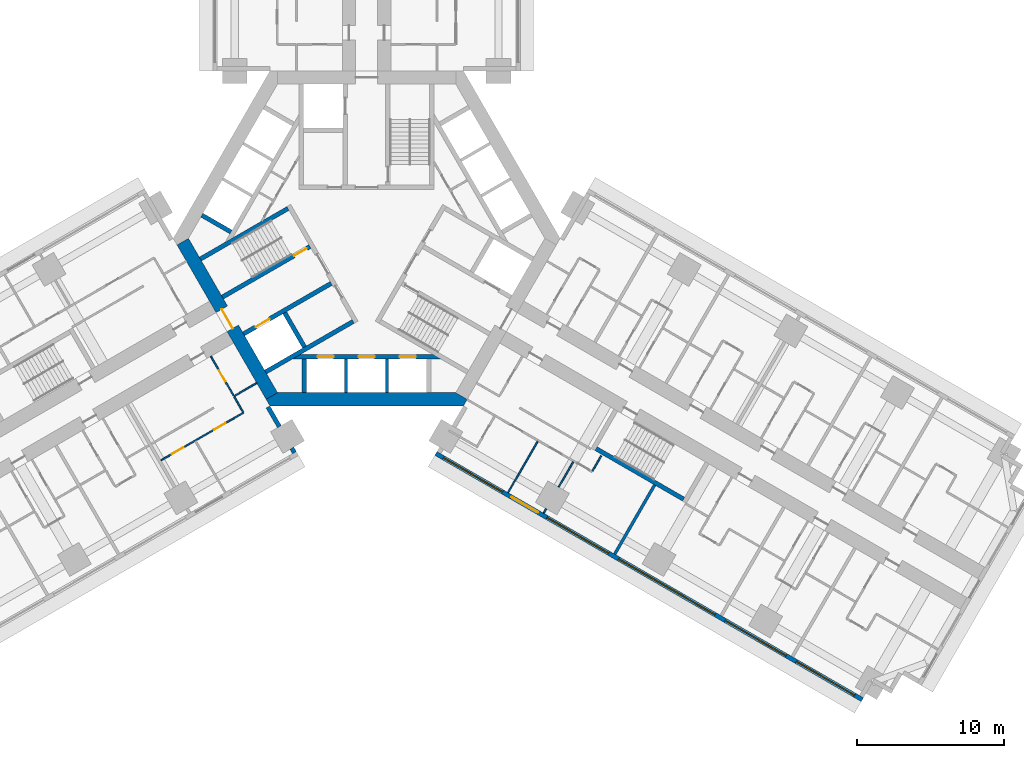
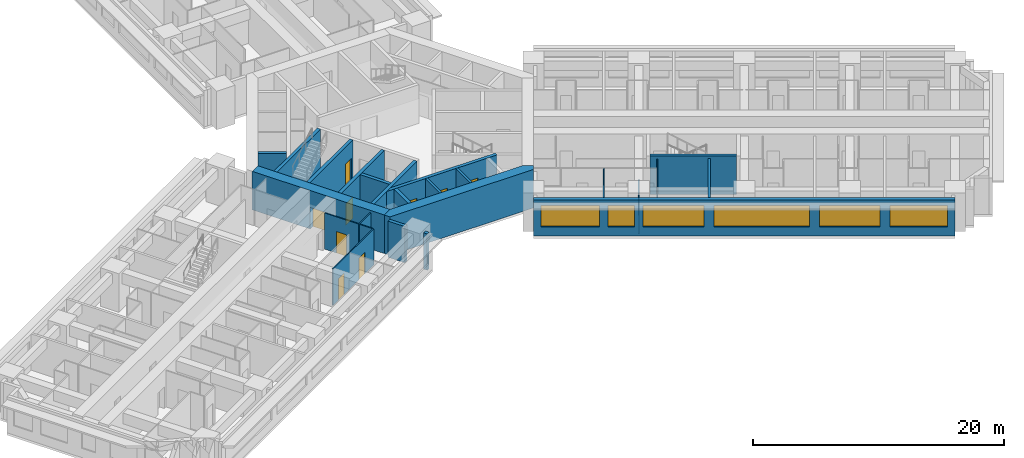
# One storey, part 6 of 16: 25 walls, 9 doors, 6 windows, 15 openings.
"""IFC4 building model written with IfcOpenShell, lengths in metres."""

import ifcopenshell
import ifcopenshell.guid

model = None  # the IFC model being written
_history = None  # IfcOwnerHistory: only IFC2X3 demands one
_inside = {}  # id of a spatial element -> (the spatial element, [elements in it])
_under = {}  # id of a project, library or spatial element -> (it, [spatial elements below it])
_declared = {}  # id of a project -> (the project, [libraries it declares])
_typed = {}  # id of a type object -> (the type object, [elements of that type])
_made_of = {}  # id of a material, layer set ... -> (it, [elements and type objects made of it])


def new_model(schema):
    """Start an empty IFC model of exactly this schema.

    Asked for "IFC4X3", IfcOpenShell would pick the latest addendum, in which some entities
    have other attributes; the version numbers below select the first issue.
    IFC2X3 requires an IfcOwnerHistory on every rooted entity: one is made here for all.
    """
    global model, _history
    if schema == "IFC4X3":
        model = ifcopenshell.file(schema_version=(4, 3, 0, 0))
    else:
        model = ifcopenshell.file(schema=schema)
    _inside.clear()
    _under.clear()
    _declared.clear()
    _typed.clear()
    _made_of.clear()
    _history = None
    if model.schema == "IFC2X3":
        org = make("IfcOrganization", Name="unknown")
        user = make(
            "IfcPersonAndOrganization",
            ThePerson=make("IfcPerson", FamilyName="unknown"),
            TheOrganization=org,
        )
        app = make(
            "IfcApplication",
            ApplicationDeveloper=org,
            Version="unknown",
            ApplicationFullName="unknown",
            ApplicationIdentifier="unknown",
        )
        _history = make(
            "IfcOwnerHistory",
            OwningUser=user,
            OwningApplication=app,
            ChangeAction="ADDED",
            CreationDate=0,
        )
    return model


def make(cls, **values):
    """One entity of the class cls with the attributes given. An attribute that is None is left unset."""
    return model.create_entity(
        cls, **{name: value for name, value in values.items() if value is not None}
    )


def rooted(cls, **values):
    """An entity with a GlobalId (a new one), such as an element, a storey or a relation."""
    return make(cls, GlobalId=ifcopenshell.guid.new(), OwnerHistory=_history, **values)


def si_unit(unit_type, name, prefix=None):
    """IfcSIUnit, for example si_unit("LENGTHUNIT", "METRE", prefix="MILLI")."""
    return make("IfcSIUnit", UnitType=unit_type, Prefix=prefix, Name=name)


def assignment(units):
    """IfcUnitAssignment: the units of a project."""
    return None if units is None else make("IfcUnitAssignment", Units=units)


def point(xyz):
    """IfcCartesianPoint."""
    return None if xyz is None else make("IfcCartesianPoint", Coordinates=xyz)


def direction(xyz):
    """IfcDirection."""
    return None if xyz is None else make("IfcDirection", DirectionRatios=xyz)


def frame(location, z_axis=None, x_axis=None):
    """IfcAxis2Placement3D, a coordinate frame: its origin and axes. An axis left out is left unset."""
    return make(
        "IfcAxis2Placement3D",
        Location=point(location),
        Axis=direction(z_axis),
        RefDirection=direction(x_axis),
    )


def frame_2d(location, x_axis=None):
    """IfcAxis2Placement2D, a coordinate frame in the plane: its origin and x axis."""
    return make(
        "IfcAxis2Placement2D", Location=point(location), RefDirection=direction(x_axis)
    )


def origin():
    """The frame at (0, 0, 0) with its axes left unset."""
    return frame((0.0, 0.0, 0.0))


def place(relative_to, where):
    """IfcLocalPlacement: puts the frame where relative to a parent placement (None: the world)."""
    return make(
        "IfcLocalPlacement", PlacementRelTo=relative_to, RelativePlacement=where
    )


def context(
    kind, dimensions, precision=None, world=None, true_north=None, identifier=None
):
    """IfcGeometricRepresentationContext, for example the 3D "Model" context."""
    return make(
        "IfcGeometricRepresentationContext",
        ContextIdentifier=identifier,
        ContextType=kind,
        CoordinateSpaceDimension=dimensions,
        Precision=precision,
        WorldCoordinateSystem=world,
        TrueNorth=true_north,
    )


def subcontext(parent, identifier, kind, view, scale=None):
    """IfcGeometricRepresentationSubContext, for example "Body" below "Model"."""
    return make(
        "IfcGeometricRepresentationSubContext",
        ContextIdentifier=identifier,
        ContextType=kind,
        ParentContext=parent,
        TargetScale=scale,
        TargetView=view,
    )


def project(units=None, contexts=None):
    """IfcProject with its units and contexts."""
    return rooted(
        "IfcProject",
        Name="project",
        RepresentationContexts=contexts,
        UnitsInContext=assignment(units),
    )


def spatial(cls, under=None, at=None, **own):
    """A site, building, storey or space (cls), placed at a placement, below another one or the project."""
    s = rooted(cls, ObjectPlacement=at, **own)
    if under is not None:
        _under.setdefault(under.id(), (under, []))[1].append(s)
    return s


def polyline(points):
    """IfcPolyline through the points."""
    return make("IfcPolyline", Points=[point(p) for p in points])


def profile(cls, at=None, kind="AREA", **sizes):
    """A parametric profile (cls). Its sizes go by their IFC names, for example OverallWidth=200.0."""
    return make(cls, ProfileType=kind, Position=at, **sizes)


def rectangle(**sizes):
    """IfcRectangleProfileDef."""
    return profile("IfcRectangleProfileDef", **sizes)


def outline(outer, holes=None, kind="AREA"):
    """IfcArbitraryClosedProfileDef: a profile drawn as a closed curve; with holes, ...WithVoids."""
    if holes is None:
        return make("IfcArbitraryClosedProfileDef", ProfileType=kind, OuterCurve=outer)
    return make(
        "IfcArbitraryProfileDefWithVoids",
        ProfileType=kind,
        OuterCurve=outer,
        InnerCurves=holes,
    )


def extrude(swept, where, along, depth):
    """IfcExtrudedAreaSolid: the profile swept, set in the frame where, extruded along a direction by depth."""
    return make(
        "IfcExtrudedAreaSolid",
        SweptArea=swept,
        Position=where,
        ExtrudedDirection=direction(along),
        Depth=depth,
    )


def shape(context_of_items, identifier, shape_type, items):
    """IfcShapeRepresentation: the items that make up one representation, for example the "Body"."""
    return make(
        "IfcShapeRepresentation",
        ContextOfItems=context_of_items,
        RepresentationIdentifier=identifier,
        RepresentationType=shape_type,
        Items=items,
    )


def material(Name=None, Category=None):
    """IfcMaterial."""
    return make("IfcMaterial", Name=Name, Category=Category)


def layer(
    of_material, thickness, ventilated=None, Name=None, Category=None, Priority=None
):
    """IfcMaterialLayer: one layer of a wall or slab, of a material (None: an air gap)."""
    return make(
        "IfcMaterialLayer",
        Material=of_material,
        LayerThickness=thickness,
        IsVentilated=ventilated,
        Name=Name,
        Category=Category,
        Priority=Priority,
    )


def layer_set(layers, Name=None):
    """IfcMaterialLayerSet."""
    return make("IfcMaterialLayerSet", MaterialLayers=layers, LayerSetName=Name)


def made_of(thing, what):
    """Note that an element or type object is made of a material, layer set ...; save() writes the relation."""
    if what is not None:
        _made_of.setdefault(what.id(), (what, []))[1].append(thing)
    return thing


def type_object(cls, material=None, **own):
    """A type object (cls), such as IfcWallType, which elements share."""
    return made_of(rooted(cls, **own), material)


def element(
    cls,
    number,
    at=None,
    inside=None,
    cuts=None,
    type_object=None,
    material=None,
    context=None,
    identifier="Body",
    shape_type=None,
    held_by="IfcProductDefinitionShape",
    body=None,
    shapes=None,
    **own,
):
    """One element of the class cls, such as IfcWall. Its Tag is "e" and its number.

    at: its placement. inside: the storey or other place that contains it. cuts: it is an
    opening in that element (IfcRelVoidsElement). A single representation is given by context,
    identifier, shape_type and body (its items); several are given by shapes. held_by: the class
    of the entity that holds the representations. save() writes the other relations.
    """
    e = rooted(cls, Tag="e%d" % number, ObjectPlacement=at, **own)
    if body is not None:
        shapes = [shape(context, identifier, shape_type, body)]
    if shapes is not None:
        e.Representation = make(held_by, Representations=shapes)
    if inside is not None:
        _inside.setdefault(inside.id(), (inside, []))[1].append(e)
    if cuts is not None:
        rooted(
            "IfcRelVoidsElement", RelatingBuildingElement=cuts, RelatedOpeningElement=e
        )
    if type_object is not None:
        _typed.setdefault(type_object.id(), (type_object, []))[1].append(e)
    return made_of(e, material)


def fill(opening, filler):
    """IfcRelFillsElement: the door or window that sits in an opening."""
    return rooted(
        "IfcRelFillsElement",
        RelatingOpeningElement=opening,
        RelatedBuildingElement=filler,
    )


def aggregate(whole, parts):
    """IfcRelAggregates: a whole, such as a stair, and the parts it consists of."""
    return rooted("IfcRelAggregates", RelatingObject=whole, RelatedObjects=parts)


def save(model, path):
    """Write the relations noted so far, then the file.

    IfcRelAggregates (storeys below a building ...), IfcRelContainedInSpatialStructure (elements
    in a storey), IfcRelDefinesByType, IfcRelAssociatesMaterial and IfcRelDeclares: one each for
    every whole, place, type object, material and project.
    """
    for whole, parts in _under.values():
        aggregate(whole, parts)
    for where, things in _inside.values():
        rooted(
            "IfcRelContainedInSpatialStructure",
            RelatedElements=things,
            RelatingStructure=where,
        )
    for kind, things in _typed.values():
        rooted("IfcRelDefinesByType", RelatedObjects=things, RelatingType=kind)
    for what, things in _made_of.values():
        rooted("IfcRelAssociatesMaterial", RelatedObjects=things, RelatingMaterial=what)
    for by, libraries in _declared.values():
        rooted("IfcRelDeclares", RelatingContext=by, RelatedDefinitions=libraries)
    model.write(path)


model = new_model("IFC4")

# Units and contexts
model_context = context("Model", 3, precision=1e-05, world=origin(), true_north=direction((0.0, 1.0)))
body_context = subcontext(model_context, "Body", "Model", "MODEL_VIEW")
ifc_project = project(units=[si_unit("LENGTHUNIT", "METRE"), si_unit("AREAUNIT", "SQUARE_METRE"), si_unit("VOLUMEUNIT", "CUBIC_METRE"), si_unit("PLANEANGLEUNIT", "RADIAN"), si_unit("MASSUNIT", "GRAM", prefix="KILO")], contexts=[model_context])

# Site, building, storey
site_placement = place(None, origin())
site = spatial("IfcSite", under=ifc_project, at=site_placement, CompositionType="ELEMENT")
building_placement = place(site_placement, origin())
building = spatial("IfcBuilding", under=site, at=building_placement, Name="Impinga Residences", CompositionType="ELEMENT")
storey_placement = place(building_placement, frame((0.0, 0.0, 41.0)))
storey = spatial("IfcBuildingStorey", under=building, at=storey_placement, Name="L09", CompositionType="ELEMENT", Elevation=41.0)

# Wall, openings, windows
ifc_material_1 = material(Name="Terracotta rainscreen on blockwork", Category="masonry")
ifc_layer_1 = layer(ifc_material_1, 0.300048828125)
ifc_layer_set_1 = layer_set([ifc_layer_1], Name="EW1 external wall, terracotta rainscreen on blockwork 300")
wall_type_1 = type_object("IfcWallType", Name="EW1 external wall, terracotta rainscreen on blockwork 300", PredefinedType="SOLIDWALL", material=ifc_layer_set_1)
wall_1_placement = place(storey_placement, frame((33.823486328125, -31.479248046875, 0.0), z_axis=(0.0, 0.0, 1.0), x_axis=(-0.866024291668, 0.500001926238, 0.0)))
wall_1 = element("IfcWall", 1, at=wall_1_placement, inside=storey, type_object=wall_type_1, Name="External wall EW1 L09", PredefinedType="SOLIDWALL", context=body_context, shape_type="SweptSolid", body=[
    extrude(rectangle(XDim=33.599853515625, YDim=0.300048828125, at=frame_2d((16.7998046875, 0.0))), origin(), (0.0, 0.0, 1.0), 3.530029296875),
])
opening_1_placement = place(wall_1_placement, frame((0.60009765625, 0.0, 0.89990234375)))
opening_1 = element("IfcOpeningElement", 2, at=opening_1_placement, cuts=wall_1, Name="Opening W3", PredefinedType="OPENING", context=body_context, shape_type="SweptSolid", body=[
    extrude(rectangle(XDim=4.60009765625, YDim=2.050048828125, at=frame_2d((2.300048828125, 1.02490234375))), frame((0.0, 0.159912109375, 0.0), z_axis=(0.0, -1.0, 0.0), x_axis=(1.0, 0.0, 0.0)), (0.0, 0.0, 1.0), 0.320068359375),
])
opening_2_placement = place(wall_1_placement, frame((6.0, 0.0, 0.89990234375)))
opening_2 = element("IfcOpeningElement", 3, at=opening_2_placement, cuts=wall_1, Name="Opening W8", PredefinedType="OPENING", context=body_context, shape_type="SweptSolid", body=[
    extrude(rectangle(XDim=4.800048828125, YDim=2.050048828125, at=frame_2d((2.39990234375, 1.02490234375))), frame((0.0, 0.159912109375, 0.0), z_axis=(0.0, -1.0, 0.0), x_axis=(1.0, 0.0, 0.0)), (0.0, 0.0, 1.0), 0.320068359375),
])
opening_3_placement = place(wall_1_placement, frame((11.60009765625, 0.0, 0.89990234375)))
opening_3 = element("IfcOpeningElement", 4, at=opening_3_placement, cuts=wall_1, Name="Opening W5", PredefinedType="OPENING", context=body_context, shape_type="SweptSolid", body=[
    extrude(rectangle(XDim=7.60009765625, YDim=2.050048828125, at=frame_2d((3.800048828125, 1.02490234375))), frame((0.0, 0.159912109375, 0.0), z_axis=(0.0, -1.0, 0.0), x_axis=(1.0, 0.0, 0.0)), (0.0, 0.0, 1.0), 0.320068359375),
])
opening_4_placement = place(wall_1_placement, frame((20.0, 0.0, 0.89990234375)))
opening_4 = element("IfcOpeningElement", 5, at=opening_4_placement, cuts=wall_1, Name="Opening W6", PredefinedType="OPENING", context=body_context, shape_type="SweptSolid", body=[
    extrude(rectangle(XDim=4.85009765625, YDim=2.050048828125, at=frame_2d((2.425048828125, 1.02490234375))), frame((0.0, 0.159912109375, 0.0), z_axis=(0.0, -1.0, 0.0), x_axis=(1.0, 0.0, 0.0)), (0.0, 0.0, 1.0), 0.320068359375),
])
opening_5_placement = place(wall_1_placement, frame((25.550048828125, 0.0, 0.89990234375)))
opening_5 = element("IfcOpeningElement", 6, at=opening_5_placement, cuts=wall_1, Name="Opening W9", PredefinedType="OPENING", context=body_context, shape_type="SweptSolid", body=[
    extrude(rectangle(XDim=2.10009765625, YDim=2.050048828125, at=frame_2d((1.050048828125, 1.02490234375))), frame((0.0, 0.159912109375, 0.0), z_axis=(0.0, -1.0, 0.0), x_axis=(1.0, 0.0, 0.0)), (0.0, 0.0, 1.0), 0.320068359375),
])
opening_6_placement = place(wall_1_placement, frame((28.35009765625, 0.0, 0.89990234375)))
opening_6 = element("IfcOpeningElement", 7, at=opening_6_placement, cuts=wall_1, Name="Opening W10", PredefinedType="OPENING", context=body_context, shape_type="SweptSolid", body=[
    extrude(rectangle(XDim=4.64990234375, YDim=2.050048828125, at=frame_2d((2.324951171875, 1.02490234375))), frame((0.0, 0.159912109375, 0.0), z_axis=(0.0, -1.0, 0.0), x_axis=(1.0, 0.0, 0.0)), (0.0, 0.0, 1.0), 0.320068359375),
])
ifc_material_2 = material(Name="Aluminium window, clear double glazing", Category="aluminium")
window_type_1 = type_object("IfcWindowType", Name="W10 ribbon window 4650x2050", PartitioningType="SINGLE_PANEL", PredefinedType="WINDOW", material=ifc_material_2)
window_1_placement = place(opening_6_placement, origin())
window_1 = element("IfcWindow", 8, at=window_1_placement, inside=storey, type_object=window_type_1, Name="Window L09", OverallHeight=2.050048828125, OverallWidth=4.64990234375, PartitioningType="SINGLE_PANEL", PredefinedType="WINDOW", context=body_context, shape_type="SweptSolid", body=[
    extrude(rectangle(XDim=4.64990234375, YDim=2.050048828125, at=frame_2d((2.324951171875, 1.02490234375))), frame((0.0, 0.030029296875, 0.0), z_axis=(0.0, -1.0, 0.0), x_axis=(1.0, 0.0, 0.0)), (0.0, 0.0, 1.0), 0.06005859375),
])
fill(opening_6, window_1)
window_type_2 = type_object("IfcWindowType", Name="W3 ribbon window 4600x2050", PartitioningType="SINGLE_PANEL", PredefinedType="WINDOW", material=ifc_material_2)
window_2_placement = place(opening_1_placement, origin())
window_2 = element("IfcWindow", 9, at=window_2_placement, inside=storey, type_object=window_type_2, Name="Window L09", OverallHeight=2.050048828125, OverallWidth=4.60009765625, PartitioningType="SINGLE_PANEL", PredefinedType="WINDOW", context=body_context, shape_type="SweptSolid", body=[
    extrude(rectangle(XDim=4.60009765625, YDim=2.050048828125, at=frame_2d((2.300048828125, 1.02490234375))), frame((0.0, 0.030029296875, 0.0), z_axis=(0.0, -1.0, 0.0), x_axis=(1.0, 0.0, 0.0)), (0.0, 0.0, 1.0), 0.06005859375),
])
fill(opening_1, window_2)
window_type_3 = type_object("IfcWindowType", Name="W5 ribbon window 7600x2050", PartitioningType="SINGLE_PANEL", PredefinedType="WINDOW", material=ifc_material_2)
window_3_placement = place(opening_3_placement, origin())
window_3 = element("IfcWindow", 10, at=window_3_placement, inside=storey, type_object=window_type_3, Name="Window L09", OverallHeight=2.050048828125, OverallWidth=7.60009765625, PartitioningType="SINGLE_PANEL", PredefinedType="WINDOW", context=body_context, shape_type="SweptSolid", body=[
    extrude(rectangle(XDim=7.60009765625, YDim=2.050048828125, at=frame_2d((3.800048828125, 1.02490234375))), frame((0.0, 0.030029296875, 0.0), z_axis=(0.0, -1.0, 0.0), x_axis=(1.0, 0.0, 0.0)), (0.0, 0.0, 1.0), 0.06005859375),
])
fill(opening_3, window_3)
window_type_4 = type_object("IfcWindowType", Name="W6 ribbon window 4850x2050", PartitioningType="SINGLE_PANEL", PredefinedType="WINDOW", material=ifc_material_2)
window_4_placement = place(opening_4_placement, origin())
window_4 = element("IfcWindow", 11, at=window_4_placement, inside=storey, type_object=window_type_4, Name="Window L09", OverallHeight=2.050048828125, OverallWidth=4.85009765625, PartitioningType="SINGLE_PANEL", PredefinedType="WINDOW", context=body_context, shape_type="SweptSolid", body=[
    extrude(rectangle(XDim=4.85009765625, YDim=2.050048828125, at=frame_2d((2.425048828125, 1.02490234375))), frame((0.0, 0.030029296875, 0.0), z_axis=(0.0, -1.0, 0.0), x_axis=(1.0, 0.0, 0.0)), (0.0, 0.0, 1.0), 0.06005859375),
])
fill(opening_4, window_4)
window_type_5 = type_object("IfcWindowType", Name="W8 ribbon window 4800x2050", PartitioningType="SINGLE_PANEL", PredefinedType="WINDOW", material=ifc_material_2)
window_5_placement = place(opening_2_placement, origin())
window_5 = element("IfcWindow", 12, at=window_5_placement, inside=storey, type_object=window_type_5, Name="Window L09", OverallHeight=2.050048828125, OverallWidth=4.800048828125, PartitioningType="SINGLE_PANEL", PredefinedType="WINDOW", context=body_context, shape_type="SweptSolid", body=[
    extrude(rectangle(XDim=4.800048828125, YDim=2.050048828125, at=frame_2d((2.39990234375, 1.02490234375))), frame((0.0, 0.030029296875, 0.0), z_axis=(0.0, -1.0, 0.0), x_axis=(1.0, 0.0, 0.0)), (0.0, 0.0, 1.0), 0.06005859375),
])
fill(opening_2, window_5)
window_type_6 = type_object("IfcWindowType", Name="W9 ribbon window 2100x2050", PartitioningType="SINGLE_PANEL", PredefinedType="WINDOW", material=ifc_material_2)
window_6_placement = place(opening_5_placement, origin())
window_6 = element("IfcWindow", 13, at=window_6_placement, inside=storey, type_object=window_type_6, Name="Window L09", OverallHeight=2.050048828125, OverallWidth=2.10009765625, PartitioningType="SINGLE_PANEL", PredefinedType="WINDOW", context=body_context, shape_type="SweptSolid", body=[
    extrude(rectangle(XDim=2.10009765625, YDim=2.050048828125, at=frame_2d((1.050048828125, 1.02490234375))), frame((0.0, 0.030029296875, 0.0), z_axis=(0.0, -1.0, 0.0), x_axis=(1.0, 0.0, 0.0)), (0.0, 0.0, 1.0), 0.06005859375),
])
fill(opening_5, window_6)

# Walls
wall_2_placement = place(storey_placement, frame((-6.72998046875, -11.506591796875, 0.0), z_axis=(0.0, 0.0, 1.0), x_axis=(0.500086022567, -0.865975732936, 0.0)))
element("IfcWall", 14, at=wall_2_placement, inside=storey, type_object=wall_type_1, Name="External wall EW1 L09", PredefinedType="SOLIDWALL", context=body_context, shape_type="SweptSolid", body=[
    extrude(rectangle(XDim=1.550048828125, YDim=0.300048828125, at=frame_2d((0.77490234375, 0.0))), origin(), (0.0, 0.0, 1.0), 3.530029296875),
])
wall_3_placement = place(storey_placement, frame((-5.10498046875, -14.321044921875, 0.0), z_axis=(0.0, 0.0, 1.0), x_axis=(0.49996389635, -0.866046247233, 0.0)))
element("IfcWall", 15, at=wall_3_placement, inside=storey, type_object=wall_type_1, Name="External wall EW1 L09", PredefinedType="SOLIDWALL", context=body_context, shape_type="SweptSolid", body=[
    extrude(rectangle(XDim=0.35009765625, YDim=0.300048828125, at=frame_2d((0.175048828125, 0.0))), origin(), (0.0, 0.0, 1.0), 3.530029296875),
])
ifc_material_3 = material(Name="Gypsum board on steel studs", Category="steel")
ifc_layer_2 = layer(ifc_material_3, 0.10009765625)
ifc_layer_set_2 = layer_set([ifc_layer_2], Name="Gypsum board on steel studs")
wall_type_2 = type_object("IfcWallType", Name="IP1 partition 100", PredefinedType="PARTITIONING", material=ifc_layer_set_2)
wall_4_placement = place(storey_placement, frame((-7.5, -9.872802734375, 0.0), z_axis=(0.0, 0.0, 1.0), x_axis=(-0.866047807691, -0.499961193289, 0.0)))
element("IfcWall", 16, at=wall_4_placement, inside=storey, type_object=wall_type_2, Name="Partition L09-WA1:DIV0", PredefinedType="PARTITIONING", context=body_context, shape_type="SweptSolid", body=[
    extrude(rectangle(XDim=1.800048828125, YDim=0.10009765625, at=frame_2d((0.89990234375, 0.0))), origin(), (0.0, 0.0, 1.0), 3.530029296875),
])

# Wall, openings, doors
wall_5_placement = place(storey_placement, frame((-8.408935546875, -11.8984375, 0.0), z_axis=(0.0, 0.0, 1.0), x_axis=(-0.866024837091, -0.50000098154, 0.0)))
wall_5 = element("IfcWall", 17, at=wall_5_placement, inside=storey, type_object=wall_type_2, Name="Partition L09-WA1:STRIP", PredefinedType="PARTITIONING", context=body_context, shape_type="SweptSolid", body=[
    extrude(rectangle(XDim=6.5, YDim=0.10009765625, at=frame_2d((3.25, 0.0))), origin(), (0.0, 0.0, 1.0), 3.530029296875),
])
opening_7_placement = place(wall_5_placement, frame((1.425048828125, 0.0, 0.0)))
opening_7 = element("IfcOpeningElement", 18, at=opening_7_placement, cuts=wall_5, Name="Opening D2", PredefinedType="OPENING", context=body_context, shape_type="SweptSolid", body=[
    extrude(rectangle(XDim=0.89990234375, YDim=2.10009765625, at=frame_2d((0.449951171875, 1.050048828125))), frame((0.0, 0.06005859375, 0.0), z_axis=(0.0, -1.0, 0.0), x_axis=(1.0, 0.0, 0.0)), (0.0, 0.0, 1.0), 0.1201171875),
])
opening_8_placement = place(wall_5_placement, frame((4.72509765625, 0.0, 0.0)))
opening_8 = element("IfcOpeningElement", 19, at=opening_8_placement, cuts=wall_5, Name="Opening D2", PredefinedType="OPENING", context=body_context, shape_type="SweptSolid", body=[
    extrude(rectangle(XDim=0.89990234375, YDim=2.10009765625, at=frame_2d((0.449951171875, 1.050048828125))), frame((0.0, 0.06005859375, 0.0), z_axis=(0.0, -1.0, 0.0), x_axis=(1.0, 0.0, 0.0)), (0.0, 0.0, 1.0), 0.1201171875),
])
ifc_material_4 = material(Name="Timber door set", Category="wood")
door_type_1 = type_object("IfcDoorType", Name="D2 internal door 900x2100", OperationType="SINGLE_SWING_LEFT", PredefinedType="DOOR", material=ifc_material_4)
door_1_placement = place(opening_7_placement, origin())
door_1 = element("IfcDoor", 20, at=door_1_placement, inside=storey, type_object=door_type_1, Name="Apartment L09-WA1 room door", OperationType="SINGLE_SWING_LEFT", OverallHeight=2.10009765625, OverallWidth=0.89990234375, PredefinedType="DOOR", context=body_context, shape_type="SweptSolid", body=[
    extrude(rectangle(XDim=0.89990234375, YDim=2.10009765625, at=frame_2d((0.449951171875, 1.050048828125))), frame((0.0, 0.02490234375, 0.0), z_axis=(0.0, -1.0, 0.0), x_axis=(1.0, 0.0, 0.0)), (0.0, 0.0, 1.0), 0.050048828125),
])
fill(opening_7, door_1)
door_2_placement = place(opening_8_placement, origin())
door_2 = element("IfcDoor", 21, at=door_2_placement, inside=storey, type_object=door_type_1, Name="Apartment L09-WA1 room door", OperationType="SINGLE_SWING_RIGHT", OverallHeight=2.10009765625, OverallWidth=0.89990234375, PredefinedType="DOOR", context=body_context, shape_type="SweptSolid", body=[
    extrude(rectangle(XDim=0.89990234375, YDim=2.10009765625, at=frame_2d((0.449951171875, 1.050048828125))), frame((0.0, 0.02490234375, 0.0), z_axis=(0.0, -1.0, 0.0), x_axis=(1.0, 0.0, 0.0)), (0.0, 0.0, 1.0), 0.050048828125),
])
fill(opening_8, door_2)

# Wall
wall_6_placement = place(storey_placement, frame((-9.033935546875, -10.81591796875, 0.0), z_axis=(0.0, 0.0, 1.0), x_axis=(0.500033551112, -0.866006032174, 0.0)))
element("IfcWall", 22, at=wall_6_placement, inside=storey, type_object=wall_type_2, Name="Partition L09-WA1:SE0", PredefinedType="PARTITIONING", context=body_context, shape_type="SweptSolid", body=[
    extrude(rectangle(XDim=1.2001953125, YDim=0.10009765625, at=frame_2d((0.60009765625, 0.0))), origin(), (0.0, 0.0, 1.0), 3.530029296875),
])

# Wall, opening, door
wall_7_placement = place(storey_placement, frame((-10.6337890625, -8.044677734375, 0.0), z_axis=(0.0, 0.0, 1.0), x_axis=(0.49999285859, -0.86602952684, 0.0)))
wall_7 = element("IfcWall", 23, at=wall_7_placement, inside=storey, type_object=wall_type_2, Name="Partition L09-WA1:IB1", PredefinedType="PARTITIONING", context=body_context, shape_type="SweptSolid", body=[
    extrude(rectangle(XDim=3.10009765625, YDim=0.10009765625, at=frame_2d((1.550048828125, 0.0))), origin(), (0.0, 0.0, 1.0), 3.530029296875),
])
opening_9_placement = place(wall_7_placement, frame((1.10009765625, 0.0, 0.0)))
opening_9 = element("IfcOpeningElement", 24, at=opening_9_placement, cuts=wall_7, Name="Opening D2", PredefinedType="OPENING", context=body_context, shape_type="SweptSolid", body=[
    extrude(rectangle(XDim=0.89990234375, YDim=2.10009765625, at=frame_2d((0.449951171875, 1.050048828125))), frame((0.0, 0.06005859375, 0.0), z_axis=(0.0, -1.0, 0.0), x_axis=(1.0, 0.0, 0.0)), (0.0, 0.0, 1.0), 0.1201171875),
])
door_3_placement = place(opening_9_placement, origin())
door_3 = element("IfcDoor", 25, at=door_3_placement, inside=storey, type_object=door_type_1, Name="Apartment L09-WA1 bathroom door", OperationType="SINGLE_SWING_LEFT", OverallHeight=2.10009765625, OverallWidth=0.89990234375, PredefinedType="DOOR", context=body_context, shape_type="SweptSolid", body=[
    extrude(rectangle(XDim=0.89990234375, YDim=2.10009765625, at=frame_2d((0.449951171875, 1.050048828125))), frame((0.0, 0.02490234375, 0.0), z_axis=(0.0, -1.0, 0.0), x_axis=(1.0, 0.0, 0.0)), (0.0, 0.0, 1.0), 0.050048828125),
])
fill(opening_9, door_3)

# Walls
wall_8_placement = place(storey_placement, frame((16.00537109375, -14.841064453125, 0.0), z_axis=(0.0, 0.0, 1.0), x_axis=(-0.50012165622, -0.865955154139, 0.0)))
element("IfcWall", 26, at=wall_8_placement, inside=storey, type_object=wall_type_2, Name="Partition L09-EF1:SE1", PredefinedType="PARTITIONING", context=body_context, shape_type="SweptSolid", body=[
    extrude(rectangle(XDim=1.199951171875, YDim=0.10009765625, at=frame_2d((0.60009765625, 0.0))), origin(), (0.0, 0.0, 1.0), 3.530029296875),
])
wall_9_placement = place(storey_placement, frame((11.6748046875, -13.841796875, 0.0), z_axis=(0.0, 0.0, 1.0), x_axis=(-0.500035537042, -0.866004885491, 0.0)))
element("IfcWall", 27, at=wall_9_placement, inside=storey, type_object=wall_type_2, Name="Partition L09-EF1:OB1", PredefinedType="PARTITIONING", context=body_context, shape_type="SweptSolid", body=[
    extrude(rectangle(XDim=4.050048828125, YDim=0.10009765625, at=frame_2d((2.02490234375, 0.0))), origin(), (0.0, 0.0, 1.0), 3.530029296875),
])
wall_10_placement = place(storey_placement, frame((14.099609375, -15.241943359375, 0.0), z_axis=(0.0, 0.0, 1.0), x_axis=(-0.50002537861, -0.866010750942, 0.0)))
element("IfcWall", 28, at=wall_10_placement, inside=storey, type_object=wall_type_2, Name="Partition L09-EF1:OB2", PredefinedType="PARTITIONING", context=body_context, shape_type="SweptSolid", body=[
    extrude(rectangle(XDim=2.0, YDim=0.10009765625, at=frame_2d((1.0, 0.0))), origin(), (0.0, 0.0, 1.0), 2.47998046875),
])
wall_11_placement = place(storey_placement, frame((12.24951171875, -18.446044921875, 0.0), z_axis=(0.0, 0.0, 1.0), x_axis=(-0.499440622861, -0.866348119543, 0.0)))
element("IfcWall", 29, at=wall_11_placement, inside=storey, type_object=wall_type_2, Name="Partition L09-EF1:OB2b", PredefinedType="PARTITIONING", context=body_context, shape_type="SweptSolid", body=[
    extrude(rectangle(XDim=0.35009765625, YDim=0.10009765625, at=frame_2d((0.175048828125, 0.0))), origin(), (0.0, 0.0, 1.0), 3.530029296875),
])
ifc_material_5 = material(Name="Concrete blockwork", Category="masonry")
ifc_layer_3 = layer(ifc_material_5, 0.199951171875)
ifc_layer_set_3 = layer_set([ifc_layer_3], Name="PW1 party wall between apartments 200")
wall_type_3 = type_object("IfcWallType", Name="PW1 party wall between apartments 200", PredefinedType="SOLIDWALL", material=ifc_layer_set_3)
wall_12_placement = place(storey_placement, frame((19.6494140625, -16.829345703125, 0.0), z_axis=(0.0, 0.0, 1.0), x_axis=(-0.500002931134, -0.866023711487, 0.0)))
element("IfcWall", 30, at=wall_12_placement, inside=storey, type_object=wall_type_3, Name="Party wall between apartments L09-EF1:PARTY", PredefinedType="SOLIDWALL", context=body_context, shape_type="SweptSolid", body=[
    extrude(rectangle(XDim=5.4501953125, YDim=0.199951171875, at=frame_2d((2.72509765625, 0.0))), origin(), (0.0, 0.0, 1.0), 3.530029296875),
])
ifc_material_6 = material(Name="Concrete C60/75", Category="concrete")
ifc_layer_4 = layer(ifc_material_6, 0.300048828125)
ifc_layer_set_4 = layer_set([ifc_layer_4], Name="Concrete C60/75")
wall_type_4 = type_object("IfcWallType", Name="SE1 wing stair enclosure wall 300", PredefinedType="SOLIDWALL", material=ifc_layer_set_4)
wall_13_placement = place(storey_placement, frame((15.654052734375, -14.349365234375, 0.0), z_axis=(0.0, 0.0, 1.0), x_axis=(0.866013532718, -0.500020560727, 0.0)))
element("IfcWall", 31, at=wall_13_placement, inside=storey, type_object=wall_type_4, Name="Stair enclosure wall SE1 E OUT L09", PredefinedType="SOLIDWALL", context=body_context, shape_type="SweptSolid", body=[
    extrude(rectangle(XDim=6.900146484375, YDim=0.300048828125, at=frame_2d((3.4501953125, 0.0))), origin(), (0.0, 0.0, 1.0), 3.75),
])

# Wall, opening, door
ifc_material_7 = material(Name="Concrete C70/85", Category="concrete")
ifc_layer_5 = layer(ifc_material_7, 0.89990234375)
ifc_layer_set_5 = layer_set([ifc_layer_5], Name="Concrete C70/85")
wall_type_5 = type_object("IfcWallType", Name="SW1 core wall 900", PredefinedType="SHEAR", material=ifc_layer_set_5)
wall_14_placement = place(storey_placement, frame((-6.47021484375, -10.756591796875, 0.0), z_axis=(0.0, 0.0, 1.0), x_axis=(-0.499997612506, 0.8660267822, 0.0)))
wall_14 = element("IfcWall", 32, at=wall_14_placement, inside=storey, type_object=wall_type_5, Name="Core wall SW1 W:FACE L09", PredefinedType="SHEAR", context=body_context, shape_type="SweptSolid", body=[
    extrude(rectangle(XDim=12.16064453125, YDim=0.89990234375, at=frame_2d((6.080322265625, 0.0))), origin(), (0.0, 0.0, 1.0), 3.75),
])
opening_10_placement = place(wall_14_placement, frame((5.330322265625, 0.0, 0.0)))
opening_10 = element("IfcOpeningElement", 33, at=opening_10_placement, cuts=wall_14, Name="Opening D4", PredefinedType="OPENING", context=body_context, shape_type="SweptSolid", body=[
    extrude(rectangle(XDim=1.5, YDim=2.10009765625, at=frame_2d((0.75, 1.050048828125))), frame((0.0, 0.4599609375, 0.0), z_axis=(0.0, -1.0, 0.0), x_axis=(1.0, 0.0, 0.0)), (0.0, 0.0, 1.0), 0.919921875),
])
door_type_2 = type_object("IfcDoorType", Name="D4 lobby door pair 1500x2100", OperationType="DOUBLE_DOOR_DOUBLE_SWING", PredefinedType="DOOR", material=ifc_material_4)
door_4_placement = place(opening_10_placement, origin())
door_4 = element("IfcDoor", 34, at=door_4_placement, inside=storey, type_object=door_type_2, Name="Lobby door W", OperationType="DOUBLE_DOOR_DOUBLE_SWING", OverallHeight=2.10009765625, OverallWidth=1.5, PredefinedType="DOOR", context=body_context, shape_type="SweptSolid", body=[
    extrude(rectangle(XDim=1.5, YDim=2.10009765625, at=frame_2d((0.75, 1.050048828125))), frame((0.0, 0.02490234375, 0.0), z_axis=(0.0, -1.0, 0.0), x_axis=(1.0, 0.0, 0.0)), (0.0, 0.0, 1.0), 0.050048828125),
])
fill(opening_10, door_4)

# Wall
wall_15_placement = place(storey_placement, origin())
element("IfcWall", 35, at=wall_15_placement, inside=storey, type_object=wall_type_5, Name="Core wall SW1 N:EXPOSED L09", PredefinedType="SHEAR", context=body_context, shape_type="SweptSolid", body=[
    extrude(outline(polyline([(-6.60009765625, -11.431640625), (6.60009765625, -11.431640625), (6.85986328125, -10.9814453125), (6.080322265625, -10.531494140625), (-6.080322265625, -10.531494140625), (-6.85986328125, -10.9814453125), (-6.60009765625, -11.431640625)])), origin(), (0.0, 0.0, 1.0), 3.75),
])

# Wall, opening, door
ifc_layer_6 = layer(ifc_material_7, 0.300048828125)
ifc_layer_set_6 = layer_set([ifc_layer_6], Name="Concrete C70/85")
wall_type_6 = type_object("IfcWallType", Name="SW5 core inner wall, stairs, shafts and lobbies 300", PredefinedType="SHEAR", material=ifc_layer_set_6)
wall_16_placement = place(storey_placement, frame((-3.86865234375, -0.559326171875, 0.0), z_axis=(0.0, 0.0, 1.0), x_axis=(-0.86602711848, -0.499997030048, 0.0)))
wall_16 = element("IfcWall", 36, at=wall_16_placement, inside=storey, type_object=wall_type_6, Name="Core wall SW5 W:ST-IN L09", PredefinedType="SHEAR", context=body_context, shape_type="SweptSolid", body=[
    extrude(rectangle(XDim=6.9013671875, YDim=0.300048828125, at=frame_2d((3.45068359375, 0.0))), origin(), (0.0, 0.0, 1.0), 3.75),
])
opening_11_placement = place(wall_16_placement, frame((0.25, 0.0, 0.0)))
opening_11 = element("IfcOpeningElement", 37, at=opening_11_placement, cuts=wall_16, Name="Opening D5", PredefinedType="OPENING", context=body_context, shape_type="SweptSolid", body=[
    extrude(rectangle(XDim=1.0, YDim=2.10009765625, at=frame_2d((0.5, 1.050048828125))), frame((0.0, 0.159912109375, 0.0), z_axis=(0.0, -1.0, 0.0), x_axis=(1.0, 0.0, 0.0)), (0.0, 0.0, 1.0), 0.320068359375),
])
door_type_3 = type_object("IfcDoorType", Name="D5 stair door 1000x2100", OperationType="SINGLE_SWING_LEFT", PredefinedType="DOOR", material=ifc_material_4)
door_5_placement = place(opening_11_placement, origin())
door_5 = element("IfcDoor", 38, at=door_5_placement, inside=storey, type_object=door_type_3, Name="Stair door W", OperationType="SINGLE_SWING_LEFT", OverallHeight=2.10009765625, OverallWidth=1.0, PredefinedType="DOOR", context=body_context, shape_type="SweptSolid", body=[
    extrude(rectangle(XDim=1.0, YDim=2.10009765625, at=frame_2d((0.5, 1.050048828125))), frame((0.0, 0.02490234375, 0.0), z_axis=(0.0, -1.0, 0.0), x_axis=(1.0, 0.0, 0.0)), (0.0, 0.0, 1.0), 0.050048828125),
])
fill(opening_11, door_5)

# Wall
wall_17_placement = place(storey_placement, frame((-5.36865234375, 2.038818359375, 0.0), z_axis=(0.0, 0.0, 1.0), x_axis=(-0.86602711848, -0.499997030048, 0.0)))
element("IfcWall", 39, at=wall_17_placement, inside=storey, type_object=wall_type_6, Name="Core wall SW5 W:ST-OUT L09", PredefinedType="SHEAR", context=body_context, shape_type="SweptSolid", body=[
    extrude(rectangle(XDim=6.9013671875, YDim=0.300048828125, at=frame_2d((3.45068359375, 0.0))), origin(), (0.0, 0.0, 1.0), 3.75),
])

# Wall, opening, door
wall_18_placement = place(storey_placement, frame((-2.418701171875, -3.07080078125, 0.0), z_axis=(0.0, 0.0, 1.0), x_axis=(-0.86602711848, -0.499997030048, 0.0)))
wall_18 = element("IfcWall", 40, at=wall_18_placement, inside=storey, type_object=wall_type_6, Name="Core wall SW5 W:FF-IN L09", PredefinedType="SHEAR", context=body_context, shape_type="SweptSolid", body=[
    extrude(rectangle(XDim=6.9013671875, YDim=0.300048828125, at=frame_2d((3.45068359375, 0.0))), origin(), (0.0, 0.0, 1.0), 3.75),
])
opening_12_placement = place(wall_18_placement, frame((4.85009765625, 0.0, 0.0)))
opening_12 = element("IfcOpeningElement", 41, at=opening_12_placement, cuts=wall_18, Name="Opening LD2", PredefinedType="OPENING", context=body_context, shape_type="SweptSolid", body=[
    extrude(rectangle(XDim=1.10009765625, YDim=2.10009765625, at=frame_2d((0.550048828125, 1.050048828125))), frame((0.0, 0.159912109375, 0.0), z_axis=(0.0, -1.0, 0.0), x_axis=(1.0, 0.0, 0.0)), (0.0, 0.0, 1.0), 0.320068359375),
])
ifc_material_8 = material(Name="Steel lift landing door", Category="steel")
door_type_4 = type_object("IfcDoorType", Name="LD2 firefighting lift landing door 1100x2100", OperationType="DOUBLE_DOOR_SLIDING", PredefinedType="DOOR", material=ifc_material_8)
door_6_placement = place(opening_12_placement, origin())
door_6 = element("IfcDoor", 42, at=door_6_placement, inside=storey, type_object=door_type_4, Name="Firefighting lift landing door F2", OperationType="DOUBLE_DOOR_SLIDING", OverallHeight=2.10009765625, OverallWidth=1.10009765625, PredefinedType="DOOR", context=body_context, shape_type="SweptSolid", body=[
    extrude(rectangle(XDim=1.10009765625, YDim=2.10009765625, at=frame_2d((0.550048828125, 1.050048828125))), frame((0.0, 0.02490234375, 0.0), z_axis=(0.0, -1.0, 0.0), x_axis=(1.0, 0.0, 0.0)), (0.0, 0.0, 1.0), 0.050048828125),
])
fill(opening_12, door_6)

# Walls
wall_19_placement = place(storey_placement, frame((-0.918701171875, -5.668701171875, 0.0), z_axis=(0.0, 0.0, 1.0), x_axis=(-0.866011800373, -0.500023561059, 0.0)))
element("IfcWall", 43, at=wall_19_placement, inside=storey, type_object=wall_type_6, Name="Core wall SW5 W:FF-OUT L09", PredefinedType="SHEAR", context=body_context, shape_type="SweptSolid", body=[
    extrude(rectangle(XDim=6.901611328125, YDim=0.300048828125, at=frame_2d((3.45068359375, 0.0))), origin(), (0.0, 0.0, 1.0), 3.75),
])
wall_20_placement = place(storey_placement, frame((-4.2412109375, -7.413818359375, 0.0), z_axis=(0.0, 0.0, 1.0), x_axis=(-0.500048589285, 0.86599734893, 0.0)))
element("IfcWall", 44, at=wall_20_placement, inside=storey, type_object=wall_type_6, Name="Core wall SW5 W:FF-RS L09", PredefinedType="SHEAR", context=body_context, shape_type="SweptSolid", body=[
    extrude(rectangle(XDim=2.699951171875, YDim=0.300048828125, at=frame_2d((1.35009765625, 0.0))), origin(), (0.0, 0.0, 1.0), 3.75),
])

# Wall, openings, doors
wall_21_placement = place(storey_placement, frame((5.09765625, -8.08154296875, 0.0), z_axis=(0.0, 0.0, 1.0), x_axis=(-1.0, 0.0, 0.0)))
wall_21 = element("IfcWall", 45, at=wall_21_placement, inside=storey, type_object=wall_type_6, Name="Core wall SW5 N:BANK-FRONT L09", PredefinedType="SHEAR", context=body_context, shape_type="SweptSolid", body=[
    extrude(rectangle(XDim=10.1953125, YDim=0.300048828125, at=frame_2d((5.09765625, 0.0))), origin(), (0.0, 0.0, 1.0), 3.75),
])
opening_13_placement = place(wall_21_placement, frame((1.74755859375, 0.0, 0.0)))
opening_13 = element("IfcOpeningElement", 46, at=opening_13_placement, cuts=wall_21, Name="Opening LD1", PredefinedType="OPENING", context=body_context, shape_type="SweptSolid", body=[
    extrude(rectangle(XDim=1.10009765625, YDim=2.10009765625, at=frame_2d((0.550048828125, 1.050048828125))), frame((0.0, 0.159912109375, 0.0), z_axis=(0.0, -1.0, 0.0), x_axis=(1.0, 0.0, 0.0)), (0.0, 0.0, 1.0), 0.320068359375),
])
opening_14_placement = place(wall_21_placement, frame((4.547607421875, 0.0, 0.0)))
opening_14 = element("IfcOpeningElement", 47, at=opening_14_placement, cuts=wall_21, Name="Opening LD1", PredefinedType="OPENING", context=body_context, shape_type="SweptSolid", body=[
    extrude(rectangle(XDim=1.10009765625, YDim=2.10009765625, at=frame_2d((0.550048828125, 1.050048828125))), frame((0.0, 0.159912109375, 0.0), z_axis=(0.0, -1.0, 0.0), x_axis=(1.0, 0.0, 0.0)), (0.0, 0.0, 1.0), 0.320068359375),
])
opening_15_placement = place(wall_21_placement, frame((7.34765625, 0.0, 0.0)))
opening_15 = element("IfcOpeningElement", 48, at=opening_15_placement, cuts=wall_21, Name="Opening LD1", PredefinedType="OPENING", context=body_context, shape_type="SweptSolid", body=[
    extrude(rectangle(XDim=1.10009765625, YDim=2.10009765625, at=frame_2d((0.550048828125, 1.050048828125))), frame((0.0, 0.159912109375, 0.0), z_axis=(0.0, -1.0, 0.0), x_axis=(1.0, 0.0, 0.0)), (0.0, 0.0, 1.0), 0.320068359375),
])
door_type_5 = type_object("IfcDoorType", Name="LD1 passenger lift landing door 1100x2100", OperationType="DOUBLE_DOOR_SLIDING", PredefinedType="DOOR", material=ifc_material_8)
door_7_placement = place(opening_13_placement, origin())
door_7 = element("IfcDoor", 49, at=door_7_placement, inside=storey, type_object=door_type_5, Name="Lift landing door P1", OperationType="DOUBLE_DOOR_SLIDING", OverallHeight=2.10009765625, OverallWidth=1.10009765625, PredefinedType="DOOR", context=body_context, shape_type="SweptSolid", body=[
    extrude(rectangle(XDim=1.10009765625, YDim=2.10009765625, at=frame_2d((0.550048828125, 1.050048828125))), frame((0.0, 0.02490234375, 0.0), z_axis=(0.0, -1.0, 0.0), x_axis=(1.0, 0.0, 0.0)), (0.0, 0.0, 1.0), 0.050048828125),
])
fill(opening_13, door_7)
door_8_placement = place(opening_14_placement, origin())
door_8 = element("IfcDoor", 50, at=door_8_placement, inside=storey, type_object=door_type_5, Name="Lift landing door P2", OperationType="DOUBLE_DOOR_SLIDING", OverallHeight=2.10009765625, OverallWidth=1.10009765625, PredefinedType="DOOR", context=body_context, shape_type="SweptSolid", body=[
    extrude(rectangle(XDim=1.10009765625, YDim=2.10009765625, at=frame_2d((0.550048828125, 1.050048828125))), frame((0.0, 0.02490234375, 0.0), z_axis=(0.0, -1.0, 0.0), x_axis=(1.0, 0.0, 0.0)), (0.0, 0.0, 1.0), 0.050048828125),
])
fill(opening_14, door_8)
door_9_placement = place(opening_15_placement, origin())
door_9 = element("IfcDoor", 51, at=door_9_placement, inside=storey, type_object=door_type_5, Name="Lift landing door P3", OperationType="DOUBLE_DOOR_SLIDING", OverallHeight=2.10009765625, OverallWidth=1.10009765625, PredefinedType="DOOR", context=body_context, shape_type="SweptSolid", body=[
    extrude(rectangle(XDim=1.10009765625, YDim=2.10009765625, at=frame_2d((0.550048828125, 1.050048828125))), frame((0.0, 0.02490234375, 0.0), z_axis=(0.0, -1.0, 0.0), x_axis=(1.0, 0.0, 0.0)), (0.0, 0.0, 1.0), 0.050048828125),
])
fill(opening_15, door_9)

# Walls
for number, where, z_axis, x_axis, name in (
    (52, (-4.25, -8.2314453125, 0.0), (0.0, 0.0, 1.0), (0.0, -1.0, 0.0), "Core wall SW5 N:BANK-R L09"),
    (53, (-9.253662109375, 0.43505859375, 0.0), (0.0, 0.0, 1.0), (-0.866007057882, 0.500031774688, 0.0), "Core wall SW5 E:BANK-L L09"),
):
    element("IfcWall", number, at=place(storey_placement, frame(where, z_axis=z_axis, x_axis=x_axis)), inside=storey, type_object=wall_type_6, Name=name, PredefinedType="SHEAR", context=body_context, shape_type="SweptSolid", body=[
        extrude(rectangle(XDim=2.300048828125, YDim=0.300048828125, at=frame_2d((1.14990234375, 0.0))), origin(), (0.0, 0.0, 1.0), 3.75),
    ])
ifc_layer_7 = layer(ifc_material_7, 0.199951171875)
ifc_layer_set_7 = layer_set([ifc_layer_7], Name="Concrete C70/85")
wall_type_7 = type_object("IfcWallType", Name="SW6 lift shaft divider wall 200", PredefinedType="SHEAR", material=ifc_layer_set_7)
for number, where, z_axis, x_axis, name in (
    (54, (1.39990234375, -8.2314453125, 0.0), (0.0, 0.0, 1.0), (0.0, -1.0, 0.0), "Core wall SW6 N:BANK-D1 L09"),
    (55, (-1.39990234375, -8.2314453125, 0.0), (0.0, 0.0, 1.0), (0.0, -1.0, 0.0), "Core wall SW6 N:BANK-D2 L09"),
):
    element("IfcWall", number, at=place(storey_placement, frame(where, z_axis=z_axis, x_axis=x_axis)), inside=storey, type_object=wall_type_7, Name=name, PredefinedType="SHEAR", context=body_context, shape_type="SweptSolid", body=[
        extrude(rectangle(XDim=2.300048828125, YDim=0.199951171875, at=frame_2d((1.14990234375, 0.0))), origin(), (0.0, 0.0, 1.0), 3.75),
    ])

save(model, "model.ifc")
